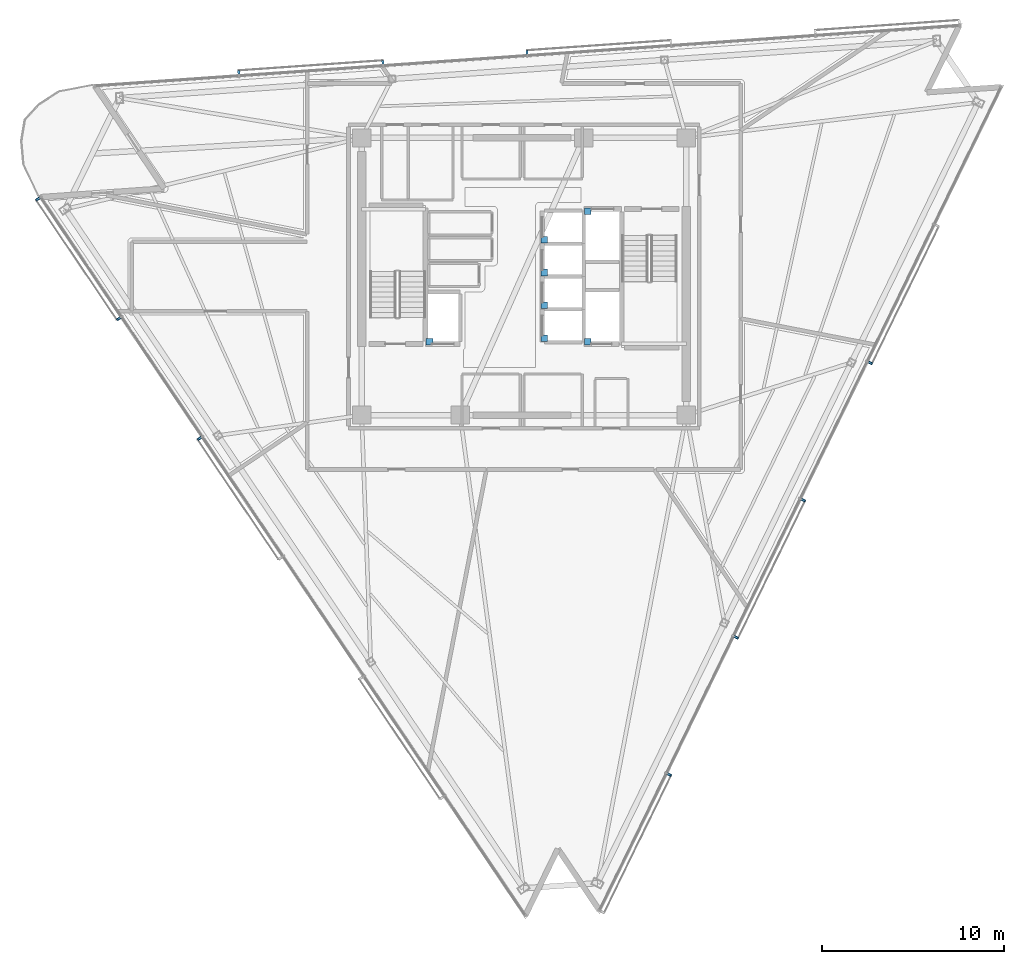
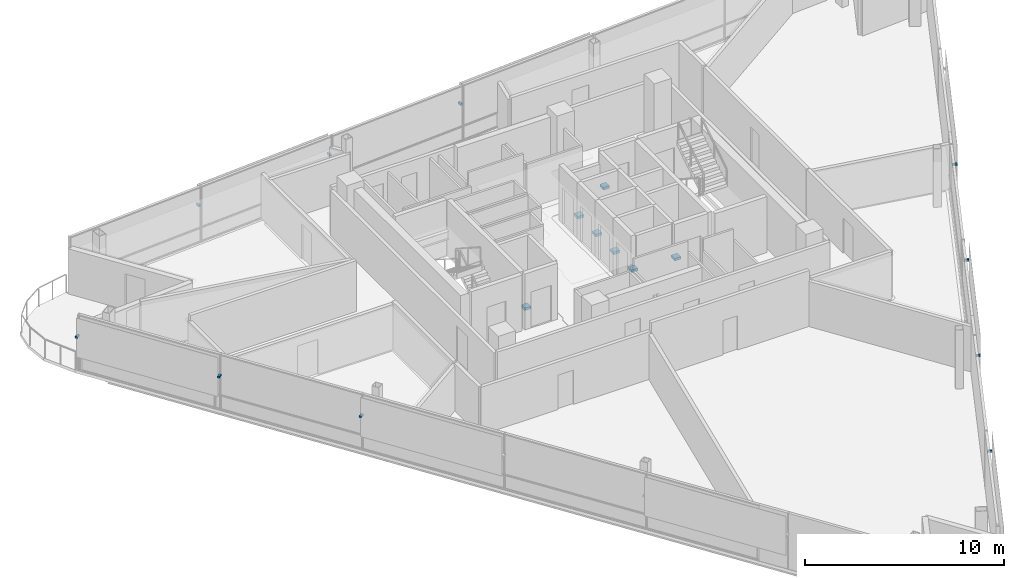
# One storey, part 12 of 16: 17 discrete accessories.
"""IFC4 building model written with IfcOpenShell, lengths in metres."""

from ifc_helpers import new_model, si_unit, direction, frame, origin, origin_2d, place, context, subcontext, project, spatial, rectangle, extrude, material, type_object, element, save


model = new_model("IFC4")

# Units and contexts
model_context = context("Model", 3, precision=1e-05, world=origin(), true_north=direction((0.0, 1.0)))
body_context = subcontext(model_context, "Body", "Model", "MODEL_VIEW")
ifc_project = project(units=[si_unit("LENGTHUNIT", "METRE"), si_unit("AREAUNIT", "SQUARE_METRE"), si_unit("VOLUMEUNIT", "CUBIC_METRE"), si_unit("PLANEANGLEUNIT", "RADIAN"), si_unit("MASSUNIT", "GRAM", prefix="KILO")], contexts=[model_context])

# Site, building, storey
site_placement = place(None, origin())
site = spatial("IfcSite", under=ifc_project, at=site_placement, CompositionType="ELEMENT")
building_placement = place(site_placement, origin())
building = spatial("IfcBuilding", under=site, at=building_placement, Name="Tharavind Bronze Gate", CompositionType="ELEMENT")
storey_placement = place(building_placement, frame((0.0, 0.0, 264.199951171875)))
storey = spatial("IfcBuildingStorey", under=building, at=storey_placement, Name="L68", CompositionType="ELEMENT", Elevation=264.199951171875)

# Discrete accessories
ifc_material_1 = material(Name="Galvanised Steel S355", Category="steel")
discrete_accessory_type_1 = type_object("IfcDiscreteAccessoryType", Name="LIFT GUIDE RAIL BRACKET", PredefinedType="BRACKET", material=ifc_material_1)
for number, where, z_axis, x_axis, name in (
    (1, (1.1201171875, -3.3798828125, 1.1201171875), (0.0, 0.0, 1.0), (1.0, 0.0, 0.0), "Lift PL9 guide rail bracket at L68"),
    (2, (1.1201171875, -1.580078125, 1.1201171875), (0.0, 0.0, 1.0), (1.0, 0.0, 0.0), "Lift PL10 guide rail bracket at L68"),
    (3, (1.1201171875, 0.219970703125, 1.1201171875), (0.0, 0.0, 1.0), (1.0, 0.0, 0.0), "Lift PL11 guide rail bracket at L68"),
    (4, (1.1201171875, 2.02001953125, 1.1201171875), (0.0, 0.0, 1.0), (1.0, 0.0, 0.0), "Lift PL12 guide rail bracket at L68"),
    (5, (-5.179931640625, -3.580078125, 1.1201171875), (0.0, 0.0, 1.0), (1.0, 0.0, 0.0), "Lift FFL1 guide rail bracket at L68"),
    (6, (3.5, 3.580078125, 1.1201171875), (0.0, 0.0, 1.0), (1.0, 0.0, 0.0), "Lift FFL2 guide rail bracket at L68"),
    (7, (3.5, -3.580078125, 1.1201171875), (0.0, 0.0, 1.0), (1.0, 0.0, 0.0), "Lift SVL1 guide rail bracket at L68"),
):
    element("IfcDiscreteAccessory", number, at=place(storey_placement, frame(where, z_axis=z_axis, x_axis=x_axis)), inside=storey, type_object=discrete_accessory_type_1, Name=name, PredefinedType="BRACKET", context=body_context, shape_type="SweptSolid", body=[
        extrude(rectangle(XDim=0.360107421875, YDim=0.360107421875, at=origin_2d()), origin(), (0.0, 0.0, 1.0), 0.159912109375),
    ])
ifc_material_2 = material(Name="Stainless Steel 316", Category="steel")
discrete_accessory_type_2 = type_object("IfcDiscreteAccessoryType", Name="SOLAR SCREEN STANDOFF BRACKET", PredefinedType="BRACKET", material=ifc_material_2)
for number, where, z_axis, x_axis, name in (
    (8, (-26.647216796875, 4.25146484375, 2.10009765625), (0.0, 0.0, 1.0), (0.559191456526, -0.82903854853, 0.0), "CW-L68-S1 solar screen bracket 1.1"),
    (9, (-22.21826171875, -2.314697265625, 2.10009765625), (0.0, 0.0, 1.0), (0.559191456526, -0.82903854853, 0.0), "CW-L68-S1 solar screen bracket 1.2"),
    (10, (-17.789306640625, -8.881103515625, 2.10009765625), (0.0, 0.0, 1.0), (0.559191456526, -0.82903854853, 0.0), "CW-L68-S1 solar screen bracket 3.1"),
    (11, (7.966064453125, -27.3154296875, 2.10009765625), (0.0, 0.0, 1.0), (0.43837271548, 0.898793281196, 0.0), "CW-L68-S2 solar screen bracket 1.2"),
    (12, (11.63623046875, -19.79052734375, 2.10009765625), (0.0, 0.0, 1.0), (0.43837271548, 0.898793281196, 0.0), "CW-L68-S2 solar screen bracket 3.1"),
    (13, (15.306396484375, -12.265380859375, 2.10009765625), (0.0, 0.0, 1.0), (0.43837271548, 0.898793281196, 0.0), "CW-L68-S2 solar screen bracket 3.2"),
    (14, (18.9765625, -4.740478515625, 2.10009765625), (0.0, 0.0, 1.0), (0.43837271548, 0.898793281196, 0.0), "CW-L68-S2 solar screen bracket 5.1"),
    (15, (0.164794921875, 12.283203125, 2.10009765625), (0.0, 0.0, 1.0), (-0.997563806758, -0.069759955899, 0.0), "CW-L68-S3 solar screen bracket 3.2"),
    (16, (-7.736328125, 11.730712890625, 2.10009765625), (0.0, 0.0, 1.0), (-0.997563806758, -0.069759955899, 0.0), "CW-L68-S3 solar screen bracket 5.1"),
    (17, (-15.63720703125, 11.177978515625, 2.10009765625), (0.0, 0.0, 1.0), (-0.997563806758, -0.069759955899, 0.0), "CW-L68-S3 solar screen bracket 5.2"),
):
    element("IfcDiscreteAccessory", number, at=place(storey_placement, frame(where, z_axis=z_axis, x_axis=x_axis)), inside=storey, type_object=discrete_accessory_type_2, Name=name, PredefinedType="BRACKET", context=body_context, shape_type="SweptSolid", body=[
        extrude(rectangle(XDim=0.1201171875, YDim=0.239990234375, at=origin_2d()), origin(), (0.0, 0.0, 1.0), 0.1201171875),
    ])

save(model, "model.ifc")
